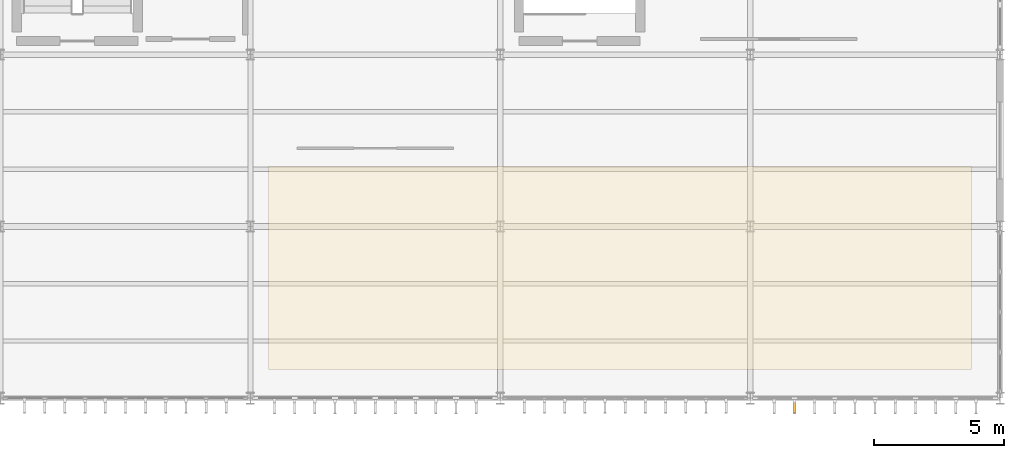
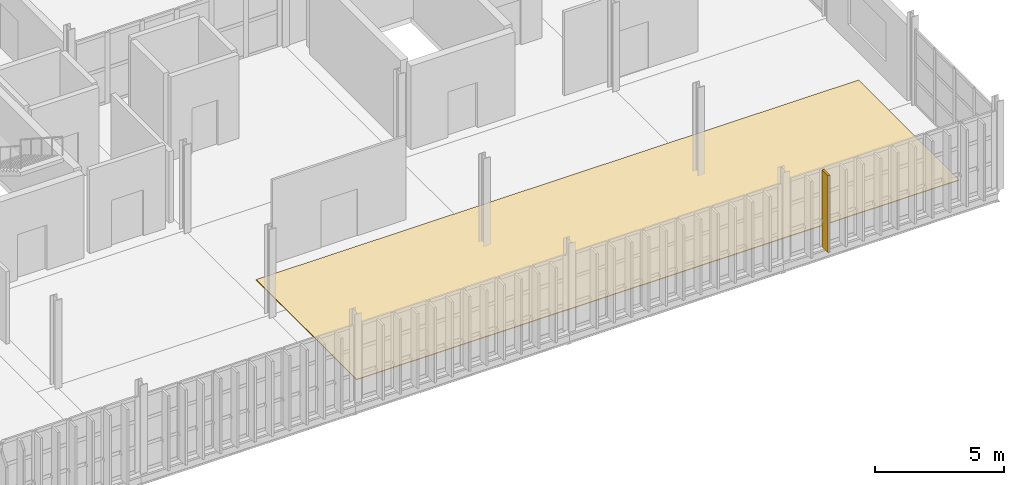
# One storey, part 34 of 38: 1 covering, 1 shading device.
"""IFC4 building model written with IfcOpenShell, lengths in metres."""

from ifc_helpers import new_model, si_unit, direction, frame, origin, origin_2d, place, context, subcontext, project, spatial, polyline, rectangle, outline, extrude, material, layer, layer_set, type_object, element, save


model = new_model("IFC4")

# Units and contexts
model_context = context("Model", 3, precision=1e-05, world=origin(), true_north=direction((0.0, 1.0)))
body_context = subcontext(model_context, "Body", "Model", "MODEL_VIEW")
ifc_project = project(units=[si_unit("LENGTHUNIT", "METRE"), si_unit("AREAUNIT", "SQUARE_METRE"), si_unit("VOLUMEUNIT", "CUBIC_METRE"), si_unit("PLANEANGLEUNIT", "RADIAN"), si_unit("MASSUNIT", "GRAM", prefix="KILO")], contexts=[model_context])

# Site, building, storey
site_placement = place(None, origin())
site = spatial("IfcSite", under=ifc_project, at=site_placement, CompositionType="ELEMENT")
building_placement = place(site_placement, origin())
building = spatial("IfcBuilding", under=site, at=building_placement, Name="Zarnetskaya Central Station", CompositionType="ELEMENT")
storey_placement = place(building_placement, frame((0.0, 0.0, 18.60009765625)))
storey = spatial("IfcBuildingStorey", under=building, at=storey_placement, Name="L04", CompositionType="ELEMENT", Elevation=18.60009765625)

# Covering
ifc_material_1 = material(Name="Granite stone flooring", Category="masonry")
ifc_layer = layer(ifc_material_1, 0.0400390625, Name="Granite stone flooring", Category="masonry")
ifc_layer_set = layer_set([ifc_layer], Name="Granite stone flooring")
covering_type = type_object("IfcCoveringType", Name="COV-GRAN-FLR", PredefinedType="FLOORING", material=ifc_layer_set)
covering_placement = place(storey_placement, origin())
element("IfcCovering", 1, at=covering_placement, inside=storey, type_object=covering_type, Name="Granite terrazzo floor finish L04-602", PredefinedType="FLOORING", context=body_context, shape_type="SweptSolid", body=[
    extrude(outline(polyline([(19.89990234375, 1.10009765625), (46.89990234375, 1.10009765625), (46.89990234375, 8.89990234375), (19.89990234375, 8.89990234375), (19.89990234375, 1.10009765625)])), origin(), (0.0, 0.0, 1.0), 0.039794921875),
])

# Shading device
ifc_material_2 = material(Name="Larch glulam GL28h", Category="wood")
shading_device_type = type_object("IfcShadingDeviceType", Name="SHD-LARCH-FIN-B", PredefinedType="USERDEFINED", material=ifc_material_2)
shading_device_placement = place(storey_placement, frame((40.10009765625, -0.340087890625, 0.0), z_axis=(0.0, 0.0, 1.0), x_axis=(-1.0, 0.0, 0.0)))
element("IfcShadingDevice", 2, at=shading_device_placement, inside=storey, type_object=shading_device_type, Name="Vertical larch timber fin CW-L04-058-10", ObjectType="TIMBER FIN", PredefinedType="USERDEFINED", context=body_context, shape_type="SweptSolid", body=[
    extrude(rectangle(XDim=0.0849609375, YDim=0.4599609375, at=origin_2d()), origin(), (0.0, 0.0, 1.0), 3.639892578125),
])

save(model, "model.ifc")
